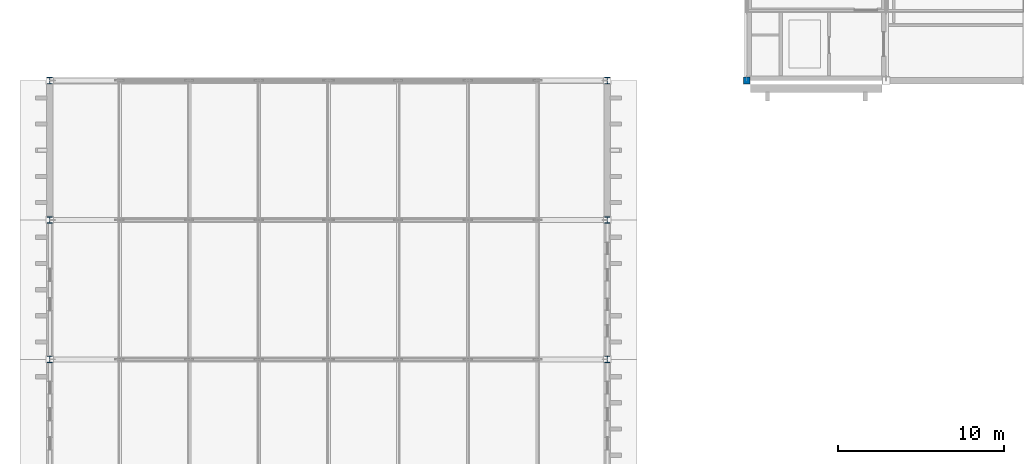
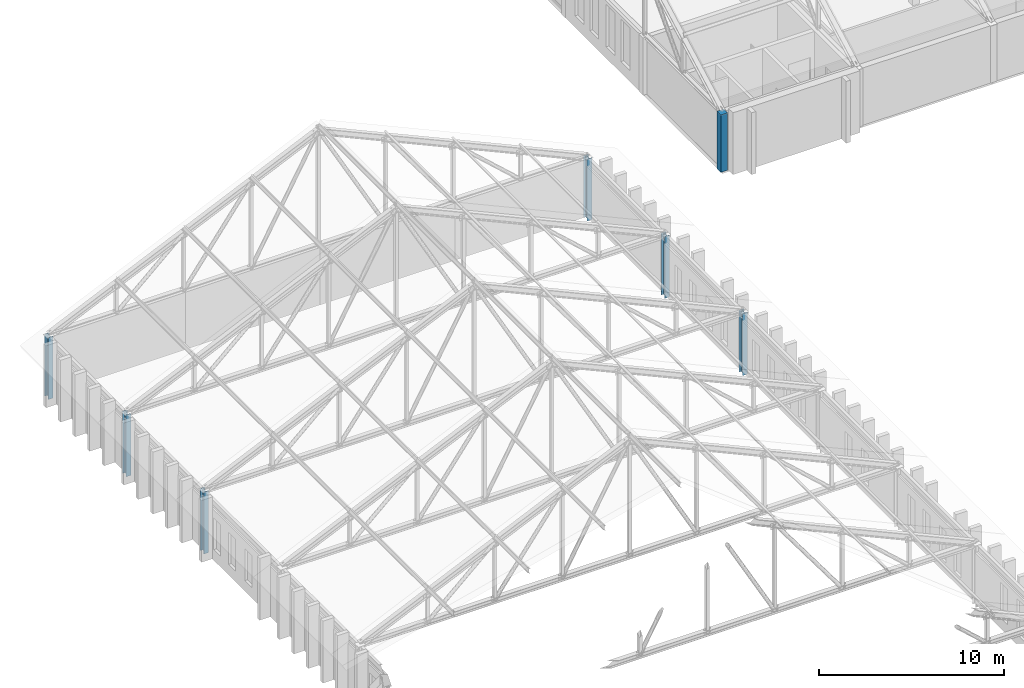
# One storey, part 3 of 110: 7 columns.
"""IFC4 building model written with IfcOpenShell, lengths in metres."""

import ifcopenshell
import ifcopenshell.guid

model = None  # the IFC model being written
_history = None  # IfcOwnerHistory: only IFC2X3 demands one
_inside = {}  # id of a spatial element -> (the spatial element, [elements in it])
_under = {}  # id of a project, library or spatial element -> (it, [spatial elements below it])
_declared = {}  # id of a project -> (the project, [libraries it declares])
_typed = {}  # id of a type object -> (the type object, [elements of that type])
_made_of = {}  # id of a material, layer set ... -> (it, [elements and type objects made of it])


def new_model(schema):
    """Start an empty IFC model of exactly this schema.

    Asked for "IFC4X3", IfcOpenShell would pick the latest addendum, in which some entities
    have other attributes; the version numbers below select the first issue.
    IFC2X3 requires an IfcOwnerHistory on every rooted entity: one is made here for all.
    """
    global model, _history
    if schema == "IFC4X3":
        model = ifcopenshell.file(schema_version=(4, 3, 0, 0))
    else:
        model = ifcopenshell.file(schema=schema)
    _inside.clear()
    _under.clear()
    _declared.clear()
    _typed.clear()
    _made_of.clear()
    _history = None
    if model.schema == "IFC2X3":
        org = make("IfcOrganization", Name="unknown")
        user = make(
            "IfcPersonAndOrganization",
            ThePerson=make("IfcPerson", FamilyName="unknown"),
            TheOrganization=org,
        )
        app = make(
            "IfcApplication",
            ApplicationDeveloper=org,
            Version="unknown",
            ApplicationFullName="unknown",
            ApplicationIdentifier="unknown",
        )
        _history = make(
            "IfcOwnerHistory",
            OwningUser=user,
            OwningApplication=app,
            ChangeAction="ADDED",
            CreationDate=0,
        )
    return model


def make(cls, **values):
    """One entity of the class cls with the attributes given. An attribute that is None is left unset."""
    return model.create_entity(
        cls, **{name: value for name, value in values.items() if value is not None}
    )


def rooted(cls, **values):
    """An entity with a GlobalId (a new one), such as an element, a storey or a relation."""
    return make(cls, GlobalId=ifcopenshell.guid.new(), OwnerHistory=_history, **values)


def si_unit(unit_type, name, prefix=None):
    """IfcSIUnit, for example si_unit("LENGTHUNIT", "METRE", prefix="MILLI")."""
    return make("IfcSIUnit", UnitType=unit_type, Prefix=prefix, Name=name)


def assignment(units):
    """IfcUnitAssignment: the units of a project."""
    return None if units is None else make("IfcUnitAssignment", Units=units)


def point(xyz):
    """IfcCartesianPoint."""
    return None if xyz is None else make("IfcCartesianPoint", Coordinates=xyz)


def direction(xyz):
    """IfcDirection."""
    return None if xyz is None else make("IfcDirection", DirectionRatios=xyz)


def frame(location, z_axis=None, x_axis=None):
    """IfcAxis2Placement3D, a coordinate frame: its origin and axes. An axis left out is left unset."""
    return make(
        "IfcAxis2Placement3D",
        Location=point(location),
        Axis=direction(z_axis),
        RefDirection=direction(x_axis),
    )


def frame_2d(location, x_axis=None):
    """IfcAxis2Placement2D, a coordinate frame in the plane: its origin and x axis."""
    return make(
        "IfcAxis2Placement2D", Location=point(location), RefDirection=direction(x_axis)
    )


def origin():
    """The frame at (0, 0, 0) with its axes left unset."""
    return frame((0.0, 0.0, 0.0))


def origin_2d():
    """The frame at (0, 0) in the plane with its x axis left unset."""
    return frame_2d((0.0, 0.0))


def place(relative_to, where):
    """IfcLocalPlacement: puts the frame where relative to a parent placement (None: the world)."""
    return make(
        "IfcLocalPlacement", PlacementRelTo=relative_to, RelativePlacement=where
    )


def context(
    kind, dimensions, precision=None, world=None, true_north=None, identifier=None
):
    """IfcGeometricRepresentationContext, for example the 3D "Model" context."""
    return make(
        "IfcGeometricRepresentationContext",
        ContextIdentifier=identifier,
        ContextType=kind,
        CoordinateSpaceDimension=dimensions,
        Precision=precision,
        WorldCoordinateSystem=world,
        TrueNorth=true_north,
    )


def subcontext(parent, identifier, kind, view, scale=None):
    """IfcGeometricRepresentationSubContext, for example "Body" below "Model"."""
    return make(
        "IfcGeometricRepresentationSubContext",
        ContextIdentifier=identifier,
        ContextType=kind,
        ParentContext=parent,
        TargetScale=scale,
        TargetView=view,
    )


def project(units=None, contexts=None):
    """IfcProject with its units and contexts."""
    return rooted(
        "IfcProject",
        Name="project",
        RepresentationContexts=contexts,
        UnitsInContext=assignment(units),
    )


def spatial(cls, under=None, at=None, **own):
    """A site, building, storey or space (cls), placed at a placement, below another one or the project."""
    s = rooted(cls, ObjectPlacement=at, **own)
    if under is not None:
        _under.setdefault(under.id(), (under, []))[1].append(s)
    return s


def profile(cls, at=None, kind="AREA", **sizes):
    """A parametric profile (cls). Its sizes go by their IFC names, for example OverallWidth=200.0."""
    return make(cls, ProfileType=kind, Position=at, **sizes)


def rectangle(**sizes):
    """IfcRectangleProfileDef."""
    return profile("IfcRectangleProfileDef", **sizes)


def i_section(**sizes):
    """IfcIShapeProfileDef."""
    return profile("IfcIShapeProfileDef", **sizes)


def extrude(swept, where, along, depth):
    """IfcExtrudedAreaSolid: the profile swept, set in the frame where, extruded along a direction by depth."""
    return make(
        "IfcExtrudedAreaSolid",
        SweptArea=swept,
        Position=where,
        ExtrudedDirection=direction(along),
        Depth=depth,
    )


def shape(context_of_items, identifier, shape_type, items):
    """IfcShapeRepresentation: the items that make up one representation, for example the "Body"."""
    return make(
        "IfcShapeRepresentation",
        ContextOfItems=context_of_items,
        RepresentationIdentifier=identifier,
        RepresentationType=shape_type,
        Items=items,
    )


def material(Name=None, Category=None):
    """IfcMaterial."""
    return make("IfcMaterial", Name=Name, Category=Category)


def material_profile(
    of_material, cross_section, Name=None, Category=None, Priority=None
):
    """IfcMaterialProfile: a cross section and its material."""
    return make(
        "IfcMaterialProfile",
        Name=Name,
        Material=of_material,
        Profile=cross_section,
        Priority=Priority,
        Category=Category,
    )


def profile_set(profiles, Name=None, composite=None):
    """IfcMaterialProfileSet."""
    return make(
        "IfcMaterialProfileSet",
        Name=Name,
        MaterialProfiles=profiles,
        CompositeProfile=composite,
    )


def made_of(thing, what):
    """Note that an element or type object is made of a material, layer set ...; save() writes the relation."""
    if what is not None:
        _made_of.setdefault(what.id(), (what, []))[1].append(thing)
    return thing


def type_object(cls, material=None, **own):
    """A type object (cls), such as IfcWallType, which elements share."""
    return made_of(rooted(cls, **own), material)


def element(
    cls,
    number,
    at=None,
    inside=None,
    cuts=None,
    type_object=None,
    material=None,
    context=None,
    identifier="Body",
    shape_type=None,
    held_by="IfcProductDefinitionShape",
    body=None,
    shapes=None,
    **own,
):
    """One element of the class cls, such as IfcWall. Its Tag is "e" and its number.

    at: its placement. inside: the storey or other place that contains it. cuts: it is an
    opening in that element (IfcRelVoidsElement). A single representation is given by context,
    identifier, shape_type and body (its items); several are given by shapes. held_by: the class
    of the entity that holds the representations. save() writes the other relations.
    """
    e = rooted(cls, Tag="e%d" % number, ObjectPlacement=at, **own)
    if body is not None:
        shapes = [shape(context, identifier, shape_type, body)]
    if shapes is not None:
        e.Representation = make(held_by, Representations=shapes)
    if inside is not None:
        _inside.setdefault(inside.id(), (inside, []))[1].append(e)
    if cuts is not None:
        rooted(
            "IfcRelVoidsElement", RelatingBuildingElement=cuts, RelatedOpeningElement=e
        )
    if type_object is not None:
        _typed.setdefault(type_object.id(), (type_object, []))[1].append(e)
    return made_of(e, material)


def aggregate(whole, parts):
    """IfcRelAggregates: a whole, such as a stair, and the parts it consists of."""
    return rooted("IfcRelAggregates", RelatingObject=whole, RelatedObjects=parts)


def save(model, path):
    """Write the relations noted so far, then the file.

    IfcRelAggregates (storeys below a building ...), IfcRelContainedInSpatialStructure (elements
    in a storey), IfcRelDefinesByType, IfcRelAssociatesMaterial and IfcRelDeclares: one each for
    every whole, place, type object, material and project.
    """
    for whole, parts in _under.values():
        aggregate(whole, parts)
    for where, things in _inside.values():
        rooted(
            "IfcRelContainedInSpatialStructure",
            RelatedElements=things,
            RelatingStructure=where,
        )
    for kind, things in _typed.values():
        rooted("IfcRelDefinesByType", RelatedObjects=things, RelatingType=kind)
    for what, things in _made_of.values():
        rooted("IfcRelAssociatesMaterial", RelatedObjects=things, RelatingMaterial=what)
    for by, libraries in _declared.values():
        rooted("IfcRelDeclares", RelatingContext=by, RelatedDefinitions=libraries)
    model.write(path)


model = new_model("IFC4")

# Units and contexts
model_context = context("Model", 3, precision=1e-05, world=origin(), true_north=direction((0.0, 1.0)))
body_context = subcontext(model_context, "Body", "Model", "MODEL_VIEW")
ifc_project = project(units=[si_unit("LENGTHUNIT", "METRE"), si_unit("AREAUNIT", "SQUARE_METRE"), si_unit("VOLUMEUNIT", "CUBIC_METRE"), si_unit("PLANEANGLEUNIT", "RADIAN"), si_unit("MASSUNIT", "GRAM", prefix="KILO")], contexts=[model_context])

# Site, building, storey
site_placement = place(None, origin())
site = spatial("IfcSite", under=ifc_project, at=site_placement, CompositionType="ELEMENT")
building_placement = place(site_placement, origin())
building = spatial("IfcBuilding", under=site, at=building_placement, Name="Kveldsbrygga Polytechnic", CompositionType="ELEMENT")
storey_placement = place(building_placement, frame((0.0, 0.0, 9.860107421875)))
storey = spatial("IfcBuildingStorey", under=building, at=storey_placement, Name="L02", CompositionType="ELEMENT", Elevation=9.860107421875)

# Columns
ifc_material_1 = material(Name="Concrete C45/55", Category="concrete")
ifc_material_profile_1 = material_profile(ifc_material_1, rectangle(XDim=0.419921875, YDim=0.419921875, at=origin_2d()), Name="RC 420x420")
ifc_profile_set_1 = profile_set([ifc_material_profile_1], Name="Concrete C45/55")
column_type_1 = type_object("IfcColumnType", Name="COL-RC-420", PredefinedType="COLUMN", material=ifc_profile_set_1)
column_placement = place(storey_placement, frame((42.0, 84.0, 0.0), z_axis=(0.0, 0.0, 1.0), x_axis=(1.0, 0.0, 0.0)))
element("IfcColumn", 1, at=column_placement, inside=storey, type_object=column_type_1, Name="Column COL-L02-05-10", PredefinedType="COLUMN", context=body_context, shape_type="SweptSolid", body=[
    extrude(rectangle(XDim=0.419921875, YDim=0.419921875, at=origin_2d()), origin(), (0.0, 0.0, 1.0), 3.77978515625),
])
ifc_material_2 = material(Name="Steel S355", Category="steel")
ifc_material_profile_2 = material_profile(ifc_material_2, i_section(OverallWidth=0.300048828125, OverallDepth=0.39990234375, WebThickness=0.013427734375, FlangeThickness=0.02392578125, FilletRadius=0.027099609375, at=origin_2d()), Name="HEB 400")
ifc_profile_set_2 = profile_set([ifc_material_profile_2], Name="Steel S355")
column_type_2 = type_object("IfcColumnType", Name="COL-STL-HEB400", PredefinedType="COLUMN", material=ifc_profile_set_2)
for number, where, z_axis, x_axis, name in (
    (2, (0.0, 67.199951171875, -0.300048828125), (0.0, 0.0, 1.0), (1.0, 0.0, 0.0), "Column COL-L02-00-08"),
    (3, (0.0, 75.60009765625, -0.300048828125), (0.0, 0.0, 1.0), (1.0, 0.0, 0.0), "Column COL-L02-00-09"),
    (4, (0.0, 84.0, -0.300048828125), (0.0, 0.0, 1.0), (1.0, 0.0, 0.0), "Column COL-L02-00-10"),
    (5, (33.60009765625, 67.199951171875, -0.300048828125), (0.0, 0.0, 1.0), (1.0, 0.0, 0.0), "Column COL-L02-04-08"),
    (6, (33.60009765625, 75.60009765625, -0.300048828125), (0.0, 0.0, 1.0), (1.0, 0.0, 0.0), "Column COL-L02-04-09"),
    (7, (33.60009765625, 84.0, -0.300048828125), (0.0, 0.0, 1.0), (1.0, 0.0, 0.0), "Column COL-L02-04-10"),
):
    element("IfcColumn", number, at=place(storey_placement, frame(where, z_axis=z_axis, x_axis=x_axis)), inside=storey, type_object=column_type_2, Name=name, PredefinedType="COLUMN", context=body_context, shape_type="SweptSolid", body=[
        extrude(i_section(OverallWidth=0.300048828125, OverallDepth=0.39990234375, WebThickness=0.013427734375, FlangeThickness=0.02392578125, FilletRadius=0.027099609375, at=origin_2d()), origin(), (0.0, 0.0, 1.0), 4.079833984375),
    ])

save(model, "model.ifc")
